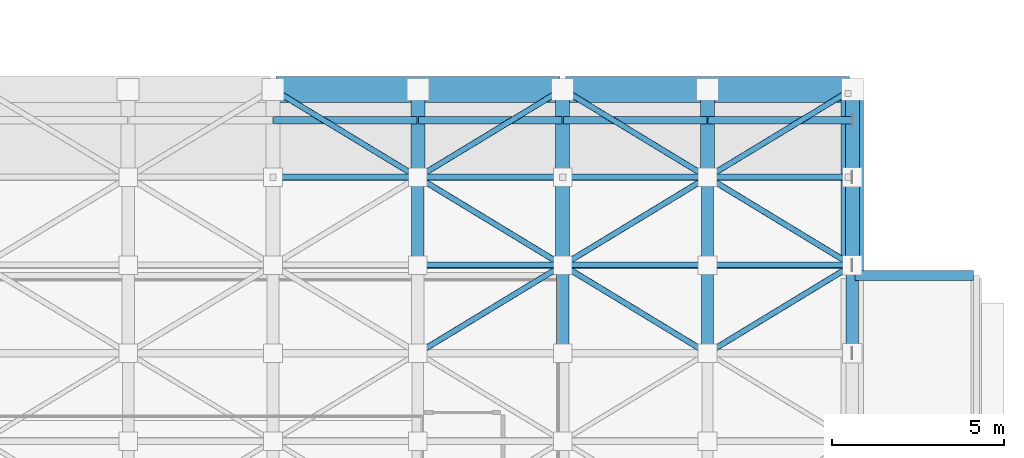
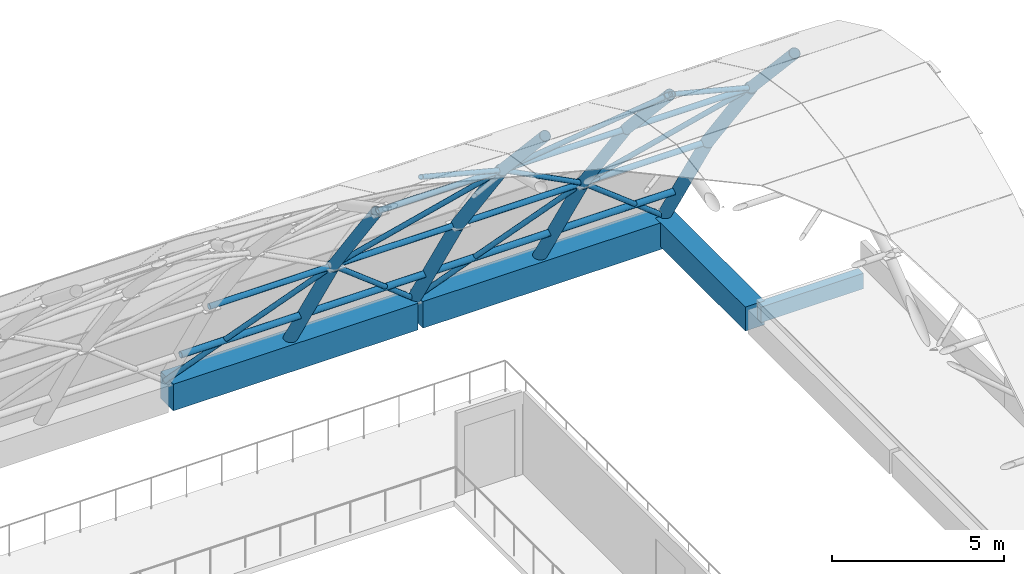
# One storey, part 37 of 128: 26 members, 10 beams.
"""IFC4 building model written with IfcOpenShell, lengths in metres."""

from ifc_helpers import new_model, si_unit, direction, frame, origin, origin_2d, place, context, subcontext, project, spatial, rectangle, hollow_circle, extrude, material, material_profile, profile_set, type_object, element, save


model = new_model("IFC4")

# Units and contexts
model_context = context("Model", 3, precision=1e-05, world=origin(), true_north=direction((0.0, 1.0)))
body_context = subcontext(model_context, "Body", "Model", "MODEL_VIEW")
ifc_project = project(units=[si_unit("LENGTHUNIT", "METRE"), si_unit("AREAUNIT", "SQUARE_METRE"), si_unit("VOLUMEUNIT", "CUBIC_METRE"), si_unit("PLANEANGLEUNIT", "RADIAN"), si_unit("MASSUNIT", "GRAM", prefix="KILO")], contexts=[model_context])

# Site, building, storey
site_placement = place(None, origin())
site = spatial("IfcSite", under=ifc_project, at=site_placement, CompositionType="ELEMENT")
building_placement = place(site_placement, origin())
building = spatial("IfcBuilding", under=site, at=building_placement, Name="Telukmera Botanical Conservatory", CompositionType="ELEMENT")
storey_placement = place(building_placement, frame((0.0, 0.0, 5.39990234375)))
storey = spatial("IfcBuildingStorey", under=building, at=storey_placement, Name="L01", CompositionType="ELEMENT", Elevation=5.39990234375)

# Beams
ifc_material_1 = material(Name="Concrete C40/50", Category="concrete")
ifc_material_profile_1 = material_profile(ifc_material_1, rectangle(XDim=0.300048828125, YDim=0.550048828125, at=origin_2d()), Name="RC 300x550")
ifc_profile_set_1 = profile_set([ifc_material_profile_1], Name="Concrete C40/50")
beam_type_1 = type_object("IfcBeamType", Name="Beam_B10", PredefinedType="BEAM", material=ifc_profile_set_1)
beam_1_placement = place(storey_placement, frame((168.080078125, 42.800048828125, -0.27490234375), z_axis=(1.0, 0.0, 0.0), x_axis=(0.0, 1.0, 0.0)))
element("IfcBeam", 1, at=beam_1_placement, inside=storey, type_object=beam_type_1, Name="Conservatory Beam beam:V1:L01:east_x:428", PredefinedType="BEAM", context=body_context, shape_type="SweptSolid", body=[
    extrude(rectangle(XDim=0.300048828125, YDim=0.550048828125, at=origin_2d()), origin(), (0.0, 0.0, 1.0), 3.43994140625),
])
ifc_material_2 = material(Name="Steel S355", Category="steel")
ifc_material_profile_2 = material_profile(ifc_material_2, hollow_circle(Radius=0.203125, WallThickness=0.01611328125, at=origin_2d()), Name="CHS 406.4x16.0")
ifc_profile_set_2 = profile_set([ifc_material_profile_2], Name="Steel S355")
beam_type_2 = type_object("IfcBeamType", Name="Beam_GA1", PredefinedType="BEAM", material=ifc_profile_set_2)
beam_2_placement = place(storey_placement, frame((159.60009765625, 43.11181640625, 7.562255859375), z_axis=(0.0, 0.591606531355, -0.806226836603), x_axis=(-1.0, 0.0, 0.0)))
element("IfcBeam", 2, at=beam_2_placement, inside=storey, type_object=beam_type_2, Name="Conservatory Gridshell Primary Arch Rib A10-10", PredefinedType="BEAM", context=body_context, shape_type="SweptSolid", body=[
    extrude(hollow_circle(Radius=0.203125, WallThickness=0.01611328125, at=origin_2d()), origin(), (0.0, 0.0, 1.0), 4.270263671875),
])
beam_3_placement = place(storey_placement, frame((159.60009765625, 45.660400390625, 4.086181640625), z_axis=(0.0, 0.5205024389, -0.853860182406), x_axis=(-1.0, 0.0, 0.0)))
element("IfcBeam", 3, at=beam_3_placement, inside=storey, type_object=beam_type_2, Name="Conservatory Gridshell Primary Arch Rib A10-11", PredefinedType="BEAM", context=body_context, shape_type="SweptSolid", body=[
    extrude(hollow_circle(Radius=0.203125, WallThickness=0.01611328125, at=origin_2d()), origin(), (0.0, 0.0, 1.0), 4.879150390625),
])
beam_4_placement = place(storey_placement, frame((168.0, 43.11181640625, 7.562255859375), z_axis=(0.0, 0.591606531355, -0.806226836603), x_axis=(-1.0, 0.0, 0.0)))
element("IfcBeam", 4, at=beam_4_placement, inside=storey, type_object=beam_type_2, Name="Conservatory Gridshell Primary Arch Rib A12-10", PredefinedType="BEAM", context=body_context, shape_type="SweptSolid", body=[
    extrude(hollow_circle(Radius=0.203125, WallThickness=0.01611328125, at=origin_2d()), origin(), (0.0, 0.0, 1.0), 4.270263671875),
])
beam_5_placement = place(storey_placement, frame((168.0, 45.660400390625, 4.086181640625), z_axis=(0.0, 0.5205024389, -0.853860182406), x_axis=(-1.0, 0.0, 0.0)))
element("IfcBeam", 5, at=beam_5_placement, inside=storey, type_object=beam_type_2, Name="Conservatory Gridshell Primary Arch Rib A12-11", PredefinedType="BEAM", context=body_context, shape_type="SweptSolid", body=[
    extrude(hollow_circle(Radius=0.203125, WallThickness=0.01611328125, at=origin_2d()), origin(), (0.0, 0.0, 1.0), 4.879150390625),
])
ifc_material_profile_3 = material_profile(ifc_material_2, hollow_circle(Radius=0.177734375, WallThickness=0.012451171875, at=origin_2d()), Name="CHS 355.6x12.5")
ifc_profile_set_3 = profile_set([ifc_material_profile_3], Name="Steel S355")
beam_type_3 = type_object("IfcBeamType", Name="Beam_GA2", PredefinedType="BEAM", material=ifc_profile_set_3)
for number, where, z_axis, x_axis, name in (
    (6, (159.60009765625, 40.563720703125, 10.3310546875), (0.0, 0.677596185256, -0.7354341641), (-1.0, 0.0, 0.0), "Conservatory Gridshell Primary Arch Rib A10-09"),
    (7, (168.0, 40.563720703125, 10.3310546875), (0.0, 0.677596185256, -0.7354341641), (-1.0, 0.0, 0.0), "Conservatory Gridshell Primary Arch Rib A12-09"),
):
    element("IfcBeam", number, at=place(storey_placement, frame(where, z_axis=z_axis, x_axis=x_axis)), inside=storey, type_object=beam_type_3, Name=name, PredefinedType="BEAM", context=body_context, shape_type="SweptSolid", body=[
        extrude(hollow_circle(Radius=0.177734375, WallThickness=0.012451171875, at=origin_2d()), origin(), (0.0, 0.0, 1.0), 3.722900390625),
    ])
ifc_material_profile_4 = material_profile(ifc_material_1, rectangle(XDim=0.75, YDim=0.949951171875, at=origin_2d()), Name="RC 750x950")
ifc_profile_set_4 = profile_set([ifc_material_profile_4], Name="Concrete C40/50")
beam_type_4 = type_object("IfcBeamType", Name="Beam_RB1", PredefinedType="BEAM", material=ifc_profile_set_4)
for number, where, z_axis, x_axis, name in (
    (8, (151.280029296875, 48.199951171875, -0.474853515625), (1.0, 0.0, 0.0), (0.0, 1.0, 0.0), "Conservatory Beam beam:V1:L01:rb_x:482:1512"),
    (9, (159.679931640625, 48.199951171875, -0.474853515625), (1.0, 0.0, 0.0), (0.0, 1.0, 0.0), "Conservatory Beam beam:V1:L01:rb_x:482:1596"),
):
    element("IfcBeam", number, at=place(storey_placement, frame(where, z_axis=z_axis, x_axis=x_axis)), inside=storey, type_object=beam_type_4, Name=name, PredefinedType="BEAM", context=body_context, shape_type="SweptSolid", body=[
        extrude(rectangle(XDim=0.75, YDim=0.949951171875, at=origin_2d()), origin(), (0.0, 0.0, 1.0), 8.239990234375),
    ])
ifc_material_profile_5 = material_profile(ifc_material_1, rectangle(XDim=0.64990234375, YDim=0.85009765625, at=origin_2d()), Name="RC 650x850")
ifc_profile_set_5 = profile_set([ifc_material_profile_5], Name="Concrete C40/50")
beam_type_5 = type_object("IfcBeamType", Name="Beam_RB2", PredefinedType="BEAM", material=ifc_profile_set_5)
beam_6_placement = place(storey_placement, frame((168.0, 42.8798828125, -0.4248046875), z_axis=(0.0, 1.0, 0.0), x_axis=(-1.0, 0.0, 0.0)))
element("IfcBeam", 10, at=beam_6_placement, inside=storey, type_object=beam_type_5, Name="Conservatory Beam beam:V1:L01:rb_y:1680:428", PredefinedType="BEAM", context=body_context, shape_type="SweptSolid", body=[
    extrude(rectangle(XDim=0.64990234375, YDim=0.85009765625, at=origin_2d()), origin(), (0.0, 0.0, 1.0), 5.240234375),
])

# Members
ifc_material_profile_6 = material_profile(ifc_material_2, hollow_circle(Radius=0.084228515625, WallThickness=0.008056640625, at=origin_2d()), Name="CHS 168.3x8.0")
ifc_profile_set_6 = profile_set([ifc_material_profile_6], Name="Steel S355")
member_type_1 = type_object("IfcMemberType", Name="Mem_GBX1", PredefinedType="USERDEFINED", material=ifc_profile_set_6)
member_1_placement = place(storey_placement, frame((155.39013671875, 45.656005859375, 4.093505859375), z_axis=(-0.650865922771, 0.395153697796, -0.648249262008), x_axis=(-0.518963837977, -0.854796194933, 0.0)))
element("IfcMember", 11, at=member_1_placement, inside=storey, type_object=member_type_1, Name="Conservatory Gridshell Diagrid Lacing Rib D08-11", ObjectType="GRIDSHELL_RIB", PredefinedType="USERDEFINED", context=body_context, shape_type="SweptSolid", body=[
    extrude(hollow_circle(Radius=0.084228515625, WallThickness=0.008056640625, at=origin_2d()), origin(), (0.0, 0.0, 1.0), 6.437744140625),
])
member_2_placement = place(storey_placement, frame((155.4111328125, 40.556884765625, 10.33837890625), z_axis=(0.744790622778, 0.452175653345, -0.49073832818), x_axis=(-0.518962491813, 0.854797012215, 0.0)))
element("IfcMember", 12, at=member_2_placement, inside=storey, type_object=member_type_1, Name="Conservatory Gridshell Diagrid Lacing Rib D09-09", ObjectType="GRIDSHELL_RIB", PredefinedType="USERDEFINED", context=body_context, shape_type="SweptSolid", body=[
    extrude(hollow_circle(Radius=0.084228515625, WallThickness=0.008056640625, at=origin_2d()), origin(), (0.0, 0.0, 1.0), 5.609375),
])
member_3_placement = place(storey_placement, frame((159.589599609375, 43.1064453125, 7.569580078125), z_axis=(-0.697903605721, 0.423683506873, -0.57742778174), x_axis=(-0.5189390409, -0.854811249242, 0.0)))
element("IfcMember", 13, at=member_3_placement, inside=storey, type_object=member_type_1, Name="Conservatory Gridshell Diagrid Lacing Rib D09-10", ObjectType="GRIDSHELL_RIB", PredefinedType="USERDEFINED", context=body_context, shape_type="SweptSolid", body=[
    extrude(hollow_circle(Radius=0.084228515625, WallThickness=0.008056640625, at=origin_2d()), origin(), (0.0, 0.0, 1.0), 5.98828125),
])
member_4_placement = place(storey_placement, frame((155.409912109375, 45.656005859375, 4.093505859375), z_axis=(0.650865922771, 0.395153697796, -0.648249262008), x_axis=(-0.518963837977, 0.854796194933, 0.0)))
element("IfcMember", 14, at=member_4_placement, inside=storey, type_object=member_type_1, Name="Conservatory Gridshell Diagrid Lacing Rib D09-11", ObjectType="GRIDSHELL_RIB", PredefinedType="USERDEFINED", context=body_context, shape_type="SweptSolid", body=[
    extrude(hollow_circle(Radius=0.084228515625, WallThickness=0.008056640625, at=origin_2d()), origin(), (0.0, 0.0, 1.0), 6.437744140625),
])
member_5_placement = place(storey_placement, frame((163.788818359375, 40.556884765625, 10.33837890625), z_axis=(-0.744790622778, 0.452175653345, -0.49073832818), x_axis=(-0.518962491813, -0.854797012215, 0.0)))
element("IfcMember", 15, at=member_5_placement, inside=storey, type_object=member_type_1, Name="Conservatory Gridshell Diagrid Lacing Rib D10-09", ObjectType="GRIDSHELL_RIB", PredefinedType="USERDEFINED", context=body_context, shape_type="SweptSolid", body=[
    extrude(hollow_circle(Radius=0.084228515625, WallThickness=0.008056640625, at=origin_2d()), origin(), (0.0, 0.0, 1.0), 5.609375),
])
member_6_placement = place(storey_placement, frame((159.610595703125, 43.1064453125, 7.569580078125), z_axis=(0.697882692567, 0.423695562374, -0.577444211885), x_axis=(-0.518961193204, 0.854797800622, 0.0)))
element("IfcMember", 16, at=member_6_placement, inside=storey, type_object=member_type_1, Name="Conservatory Gridshell Diagrid Lacing Rib D10-10", ObjectType="GRIDSHELL_RIB", PredefinedType="USERDEFINED", context=body_context, shape_type="SweptSolid", body=[
    extrude(hollow_circle(Radius=0.084228515625, WallThickness=0.008056640625, at=origin_2d()), origin(), (0.0, 0.0, 1.0), 5.988037109375),
])
member_7_placement = place(storey_placement, frame((163.790283203125, 45.656005859375, 4.093505859375), z_axis=(-0.650865922771, 0.395153697796, -0.648249262008), x_axis=(-0.518963837977, -0.854796194933, 0.0)))
element("IfcMember", 17, at=member_7_placement, inside=storey, type_object=member_type_1, Name="Conservatory Gridshell Diagrid Lacing Rib D10-11", ObjectType="GRIDSHELL_RIB", PredefinedType="USERDEFINED", context=body_context, shape_type="SweptSolid", body=[
    extrude(hollow_circle(Radius=0.084228515625, WallThickness=0.008056640625, at=origin_2d()), origin(), (0.0, 0.0, 1.0), 6.437744140625),
])
member_8_placement = place(storey_placement, frame((163.811279296875, 40.556884765625, 10.33837890625), z_axis=(0.74477124096, 0.452190311632, -0.490754236563), x_axis=(-0.518984652148, 0.854783557888, 0.0)))
element("IfcMember", 18, at=member_8_placement, inside=storey, type_object=member_type_1, Name="Conservatory Gridshell Diagrid Lacing Rib D11-09", ObjectType="GRIDSHELL_RIB", PredefinedType="USERDEFINED", context=body_context, shape_type="SweptSolid", body=[
    extrude(hollow_circle(Radius=0.084228515625, WallThickness=0.008056640625, at=origin_2d()), origin(), (0.0, 0.0, 1.0), 5.609130859375),
])
member_9_placement = place(storey_placement, frame((167.989501953125, 43.1064453125, 7.569580078125), z_axis=(-0.697882692567, 0.423695562374, -0.577444211885), x_axis=(-0.518961193204, -0.854797800622, 0.0)))
element("IfcMember", 19, at=member_9_placement, inside=storey, type_object=member_type_1, Name="Conservatory Gridshell Diagrid Lacing Rib D11-10", ObjectType="GRIDSHELL_RIB", PredefinedType="USERDEFINED", context=body_context, shape_type="SweptSolid", body=[
    extrude(hollow_circle(Radius=0.084228515625, WallThickness=0.008056640625, at=origin_2d()), origin(), (0.0, 0.0, 1.0), 5.988037109375),
])
member_10_placement = place(storey_placement, frame((163.809814453125, 45.656005859375, 4.093505859375), z_axis=(0.650865922771, 0.395153697796, -0.648249262008), x_axis=(-0.518963837977, 0.854796194933, 0.0)))
element("IfcMember", 20, at=member_10_placement, inside=storey, type_object=member_type_1, Name="Conservatory Gridshell Diagrid Lacing Rib D11-11", ObjectType="GRIDSHELL_RIB", PredefinedType="USERDEFINED", context=body_context, shape_type="SweptSolid", body=[
    extrude(hollow_circle(Radius=0.084228515625, WallThickness=0.008056640625, at=origin_2d()), origin(), (0.0, 0.0, 1.0), 6.437744140625),
])
ifc_material_profile_7 = material_profile(ifc_material_2, hollow_circle(Radius=0.203125, WallThickness=0.01611328125, at=origin_2d()), Name="CHS 406.4x16.0")
ifc_profile_set_7 = profile_set([ifc_material_profile_7], Name="Steel S355")
member_type_2 = type_object("IfcMemberType", Name="Mem_GM1", PredefinedType="USERDEFINED", material=ifc_profile_set_7)
for number, where, z_axis, x_axis, name in (
    (21, (155.39990234375, 45.660400390625, 4.086181640625), (0.0, 0.5205024389, -0.853860182406), (-1.0, 0.0, 0.0), "Conservatory Gridshell Arch Segment A09-11"),
    (22, (163.800048828125, 45.660400390625, 4.086181640625), (0.0, 0.5205024389, -0.853860182406), (-1.0, 0.0, 0.0), "Conservatory Gridshell Arch Segment A11-11"),
):
    element("IfcMember", number, at=place(storey_placement, frame(where, z_axis=z_axis, x_axis=x_axis)), inside=storey, type_object=member_type_2, Name=name, ObjectType="ARCH_SEGMENT", PredefinedType="USERDEFINED", context=body_context, shape_type="SweptSolid", body=[
        extrude(hollow_circle(Radius=0.203125, WallThickness=0.01611328125, at=origin_2d()), origin(), (0.0, 0.0, 1.0), 4.879150390625),
    ])
ifc_material_profile_8 = material_profile(ifc_material_2, hollow_circle(Radius=0.177734375, WallThickness=0.012451171875, at=origin_2d()), Name="CHS 355.6x12.5")
ifc_profile_set_8 = profile_set([ifc_material_profile_8], Name="Steel S355")
member_type_3 = type_object("IfcMemberType", Name="Mem_GM2", PredefinedType="USERDEFINED", material=ifc_profile_set_8)
member_11_placement = place(storey_placement, frame((155.39990234375, 43.11181640625, 7.562255859375), z_axis=(0.0, 0.591606531355, -0.806226836603), x_axis=(-1.0, 0.0, 0.0)))
element("IfcMember", 23, at=member_11_placement, inside=storey, type_object=member_type_3, Name="Conservatory Gridshell Arch Segment A09-10", ObjectType="ARCH_SEGMENT", PredefinedType="USERDEFINED", context=body_context, shape_type="SweptSolid", body=[
    extrude(hollow_circle(Radius=0.177734375, WallThickness=0.012451171875, at=origin_2d()), origin(), (0.0, 0.0, 1.0), 4.270263671875),
])
member_12_placement = place(storey_placement, frame((163.800048828125, 40.563720703125, 10.3310546875), z_axis=(0.0, 0.677596185256, -0.7354341641), x_axis=(-1.0, 0.0, 0.0)))
element("IfcMember", 24, at=member_12_placement, inside=storey, type_object=member_type_3, Name="Conservatory Gridshell Arch Segment A11-09", ObjectType="ARCH_SEGMENT", PredefinedType="USERDEFINED", context=body_context, shape_type="SweptSolid", body=[
    extrude(hollow_circle(Radius=0.177734375, WallThickness=0.012451171875, at=origin_2d()), origin(), (0.0, 0.0, 1.0), 3.722900390625),
])
member_13_placement = place(storey_placement, frame((163.800048828125, 43.11181640625, 7.562255859375), z_axis=(0.0, 0.591606531355, -0.806226836603), x_axis=(-1.0, 0.0, 0.0)))
element("IfcMember", 25, at=member_13_placement, inside=storey, type_object=member_type_3, Name="Conservatory Gridshell Arch Segment A11-10", ObjectType="ARCH_SEGMENT", PredefinedType="USERDEFINED", context=body_context, shape_type="SweptSolid", body=[
    extrude(hollow_circle(Radius=0.177734375, WallThickness=0.012451171875, at=origin_2d()), origin(), (0.0, 0.0, 1.0), 4.270263671875),
])
ifc_material_profile_9 = material_profile(ifc_material_2, hollow_circle(Radius=0.109619140625, WallThickness=0.010009765625, at=origin_2d()), Name="CHS 219.1x10.0")
ifc_profile_set_9 = profile_set([ifc_material_profile_9], Name="Steel S355")
member_type_4 = type_object("IfcMemberType", Name="Mem_GP1", PredefinedType="PURLIN", material=ifc_profile_set_9)
member_14_placement = place(storey_placement, frame((151.219970703125, 47.3076171875, 1.38427734375), z_axis=(1.0, 0.0, 0.0), x_axis=(0.0, 1.0, 0.0)))
element("IfcMember", 26, at=member_14_placement, inside=storey, type_object=member_type_4, Name="Conservatory Gridshell Longitudinal Rib P08-12", PredefinedType="PURLIN", context=body_context, shape_type="SweptSolid", body=[
    extrude(hollow_circle(Radius=0.109619140625, WallThickness=0.010009765625, at=origin_2d()), origin(), (0.0, 0.0, 1.0), 4.159912109375),
])
member_15_placement = place(storey_placement, frame((155.419921875, 47.3076171875, 1.38427734375), z_axis=(1.0, 0.0, 0.0), x_axis=(0.0, 1.0, 0.0)))
element("IfcMember", 27, at=member_15_placement, inside=storey, type_object=member_type_4, Name="Conservatory Gridshell Longitudinal Rib P09-12", PredefinedType="PURLIN", context=body_context, shape_type="SweptSolid", body=[
    extrude(hollow_circle(Radius=0.109619140625, WallThickness=0.010009765625, at=origin_2d()), origin(), (0.0, 0.0, 1.0), 4.16015625),
])
member_16_placement = place(storey_placement, frame((159.6201171875, 47.3076171875, 1.38427734375), z_axis=(1.0, 0.0, 0.0), x_axis=(0.0, 1.0, 0.0)))
element("IfcMember", 28, at=member_16_placement, inside=storey, type_object=member_type_4, Name="Conservatory Gridshell Longitudinal Rib P10-12", PredefinedType="PURLIN", context=body_context, shape_type="SweptSolid", body=[
    extrude(hollow_circle(Radius=0.109619140625, WallThickness=0.010009765625, at=origin_2d()), origin(), (0.0, 0.0, 1.0), 4.159912109375),
])
member_17_placement = place(storey_placement, frame((163.820068359375, 47.3076171875, 1.38427734375), z_axis=(1.0, 0.0, 0.0), x_axis=(0.0, 1.0, 0.0)))
element("IfcMember", 29, at=member_17_placement, inside=storey, type_object=member_type_4, Name="Conservatory Gridshell Longitudinal Rib P11-12", PredefinedType="PURLIN", context=body_context, shape_type="SweptSolid", body=[
    extrude(hollow_circle(Radius=0.109619140625, WallThickness=0.010009765625, at=origin_2d()), origin(), (0.0, 0.0, 1.0), 4.175048828125),
])
ifc_material_profile_10 = material_profile(ifc_material_2, hollow_circle(Radius=0.096923828125, WallThickness=0.008056640625, at=origin_2d()), Name="CHS 193.7x8.0")
ifc_profile_set_10 = profile_set([ifc_material_profile_10], Name="Steel S355")
member_type_5 = type_object("IfcMemberType", Name="Mem_GP2", PredefinedType="PURLIN", material=ifc_profile_set_10)
member_18_placement = place(storey_placement, frame((151.219970703125, 45.64990234375, 4.103271484375), z_axis=(1.0, 0.0, 0.0), x_axis=(0.0, 1.0, 0.0)))
element("IfcMember", 30, at=member_18_placement, inside=storey, type_object=member_type_5, Name="Conservatory Gridshell Longitudinal Rib P08-11", PredefinedType="PURLIN", context=body_context, shape_type="SweptSolid", body=[
    extrude(hollow_circle(Radius=0.096923828125, WallThickness=0.008056640625, at=origin_2d()), origin(), (0.0, 0.0, 1.0), 4.159912109375),
])
for number, where, z_axis, x_axis, name in (
    (31, (155.419921875, 43.10009765625, 7.578369140625), (1.0, 0.0, 0.0), (0.0, 1.0, 0.0), "Conservatory Gridshell Longitudinal Rib P09-10"),
    (32, (155.419921875, 45.64990234375, 4.103271484375), (1.0, 0.0, 0.0), (0.0, 1.0, 0.0), "Conservatory Gridshell Longitudinal Rib P09-11"),
):
    element("IfcMember", number, at=place(storey_placement, frame(where, z_axis=z_axis, x_axis=x_axis)), inside=storey, type_object=member_type_5, Name=name, PredefinedType="PURLIN", context=body_context, shape_type="SweptSolid", body=[
        extrude(hollow_circle(Radius=0.096923828125, WallThickness=0.008056640625, at=origin_2d()), origin(), (0.0, 0.0, 1.0), 4.16015625),
    ])
for number, where, z_axis, x_axis, name in (
    (33, (159.6201171875, 43.10009765625, 7.578369140625), (1.0, 0.0, 0.0), (0.0, 1.0, 0.0), "Conservatory Gridshell Longitudinal Rib P10-10"),
    (34, (159.6201171875, 45.64990234375, 4.103271484375), (1.0, 0.0, 0.0), (0.0, 1.0, 0.0), "Conservatory Gridshell Longitudinal Rib P10-11"),
    (35, (163.820068359375, 43.10009765625, 7.578369140625), (1.0, 0.0, 0.0), (0.0, 1.0, 0.0), "Conservatory Gridshell Longitudinal Rib P11-10"),
    (36, (163.820068359375, 45.64990234375, 4.103271484375), (1.0, 0.0, 0.0), (0.0, 1.0, 0.0), "Conservatory Gridshell Longitudinal Rib P11-11"),
):
    element("IfcMember", number, at=place(storey_placement, frame(where, z_axis=z_axis, x_axis=x_axis)), inside=storey, type_object=member_type_5, Name=name, PredefinedType="PURLIN", context=body_context, shape_type="SweptSolid", body=[
        extrude(hollow_circle(Radius=0.096923828125, WallThickness=0.008056640625, at=origin_2d()), origin(), (0.0, 0.0, 1.0), 4.159912109375),
    ])

save(model, "model.ifc")
